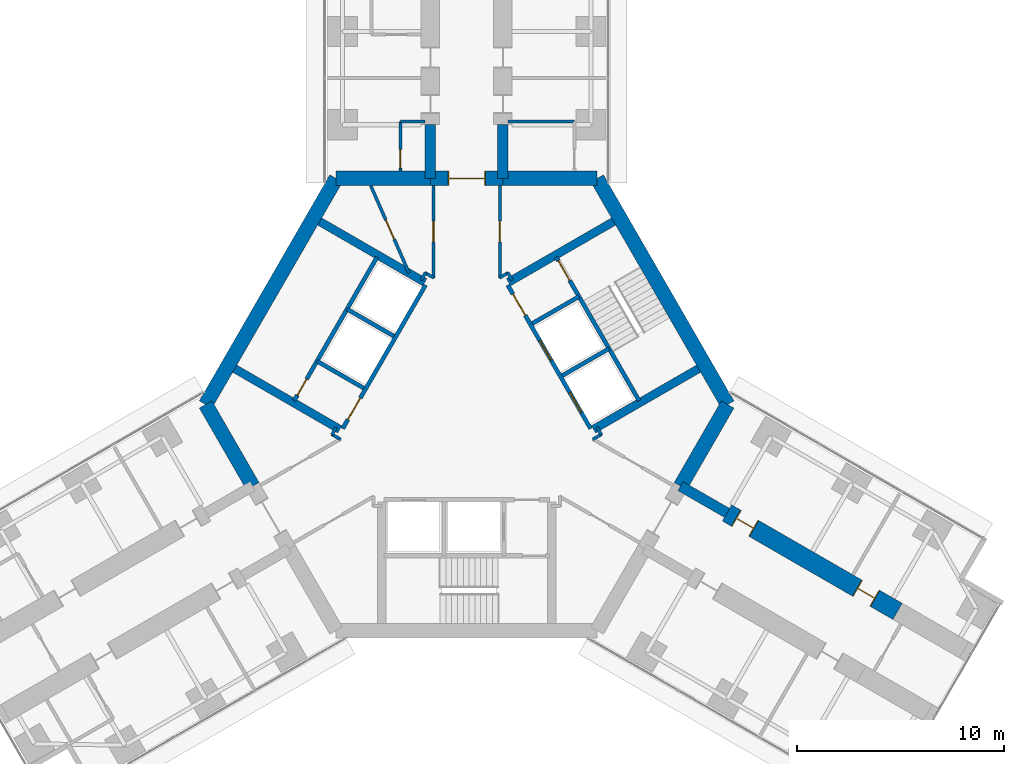
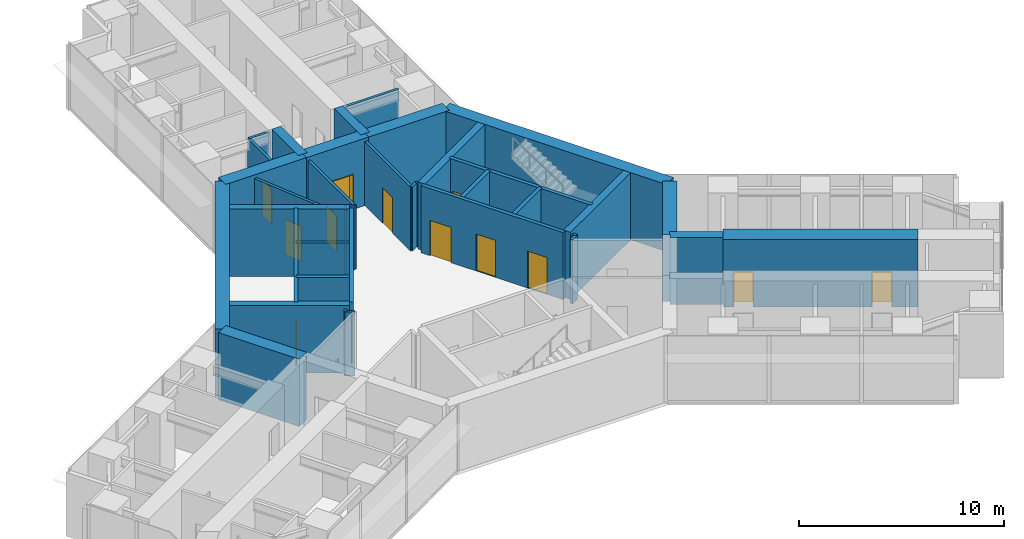
# One storey, part 21 of 24: 37 walls, 13 doors, 13 openings.
"""IFC4 building model written with IfcOpenShell, lengths in metres."""

from ifc_helpers import new_model, si_unit, direction, frame, frame_2d, origin, place, context, subcontext, project, spatial, rectangle, extrude, material, layer, layer_set, type_object, element, fill, save


model = new_model("IFC4")

# Units and contexts
model_context = context("Model", 3, precision=1e-05, world=origin(), true_north=direction((0.0, 1.0)))
body_context = subcontext(model_context, "Body", "Model", "MODEL_VIEW")
ifc_project = project(units=[si_unit("LENGTHUNIT", "METRE"), si_unit("AREAUNIT", "SQUARE_METRE"), si_unit("VOLUMEUNIT", "CUBIC_METRE"), si_unit("PLANEANGLEUNIT", "RADIAN"), si_unit("MASSUNIT", "GRAM", prefix="KILO")], contexts=[model_context])

# Site, building, storey
site_placement = place(None, origin())
site = spatial("IfcSite", under=ifc_project, at=site_placement, CompositionType="ELEMENT")
building_placement = place(site_placement, origin())
building = spatial("IfcBuilding", under=site, at=building_placement, Name="Upepo Twin Towers", CompositionType="ELEMENT")
storey_placement = place(building_placement, frame((0.0, 0.0, 48.5)))
storey = spatial("IfcBuildingStorey", under=building, at=storey_placement, Name="L11", CompositionType="ELEMENT", Elevation=48.5)

# Walls
ifc_material_1 = material(Name="Concrete C60/75", Category="concrete")
ifc_layer_1 = layer(ifc_material_1, 0.5)
ifc_layer_set_1 = layer_set([ifc_layer_1], Name="Concrete C60/75")
wall_type_1 = type_object("IfcWallType", Name="Buttress wall 500 RC", PredefinedType="SHEAR", material=ifc_layer_set_1)
for number, where, z_axis, x_axis, name in (
    (1, (56.75, -7.091552734375, 0.0), (0.0, 0.0, 1.0), (0.0, 1.0, 0.0), "T2 wing A buttress wall L"),
    (2, (60.25, -7.091552734375, 0.0), (0.0, 0.0, 1.0), (0.0, 1.0, 0.0), "T2 wing A buttress wall R"),
):
    element("IfcWall", number, at=place(storey_placement, frame(where, z_axis=z_axis, x_axis=x_axis)), inside=storey, type_object=wall_type_1, Name=name, PredefinedType="SHEAR", context=body_context, shape_type="SweptSolid", body=[
        extrude(rectangle(XDim=2.591552734375, YDim=0.5, at=frame_2d((1.2958984375, 0.0))), origin(), (0.0, 0.0, 1.0), 4.0),
    ])
wall_1_placement = place(storey_placement, frame((68.82177734375, -21.938720703125, 0.0), z_axis=(0.0, 0.0, 1.0), x_axis=(0.866072649678, -0.499918158782, 0.0)))
element("IfcWall", 3, at=wall_1_placement, inside=storey, type_object=wall_type_1, Name="T2 wing C buttress wall L", PredefinedType="SHEAR", context=body_context, shape_type="SweptSolid", body=[
    extrude(rectangle(XDim=2.591796875, YDim=0.5, at=frame_2d((1.2958984375, 0.0))), origin(), (0.0, 0.0, 1.0), 4.0),
])

# Wall, openings, doors
ifc_material_2 = material(Name="Concrete C60/75", Category="concrete")
ifc_layer_2 = layer(ifc_material_2, 0.89990234375)
ifc_layer_set_2 = layer_set([ifc_layer_2], Name="Concrete C60/75")
wall_type_2 = type_object("IfcWallType", Name="Buttress wall 900 RC", PredefinedType="SHEAR", material=ifc_layer_set_2)
wall_2_placement = place(storey_placement, frame((71.06640625, -23.234375, 0.0), z_axis=(0.0, 0.0, 1.0), x_axis=(0.86602681393, -0.499997557548, 0.0)))
wall_2 = element("IfcWall", 4, at=wall_2_placement, inside=storey, type_object=wall_type_2, Name="T2 wing C buttress wall L part 2", PredefinedType="SHEAR", context=body_context, shape_type="SweptSolid", body=[
    extrude(rectangle(XDim=9.5, YDim=0.89990234375, at=frame_2d((4.75, 0.0))), origin(), (0.0, 0.0, 1.0), 4.0),
])
opening_1_placement = place(wall_2_placement, frame((0.5, 0.0, 0.0)))
opening_1 = element("IfcOpeningElement", 5, at=opening_1_placement, cuts=wall_2, Name="Opening D1", PredefinedType="OPENING", context=body_context, shape_type="SweptSolid", body=[
    extrude(rectangle(XDim=1.0, YDim=2.10009765625, at=frame_2d((0.5, 1.050048828125))), frame((0.0, 0.4599609375, 0.0), z_axis=(0.0, -1.0, 0.0), x_axis=(1.0, 0.0, 0.0)), (0.0, 0.0, 1.0), 0.919921875),
])
opening_2_placement = place(wall_2_placement, frame((7.25, 0.0, 0.0)))
opening_2 = element("IfcOpeningElement", 6, at=opening_2_placement, cuts=wall_2, Name="Opening D1", PredefinedType="OPENING", context=body_context, shape_type="SweptSolid", body=[
    extrude(rectangle(XDim=1.0, YDim=2.10009765625, at=frame_2d((0.5, 1.050048828125))), frame((0.0, 0.4599609375, 0.0), z_axis=(0.0, -1.0, 0.0), x_axis=(1.0, 0.0, 0.0)), (0.0, 0.0, 1.0), 0.919921875),
])
ifc_material_3 = material(Name="Timber doorset", Category="wood")
door_type_1 = type_object("IfcDoorType", Name="Room door 1000 FD30", OperationType="SINGLE_SWING_LEFT", PredefinedType="DOOR", material=ifc_material_3)
door_1_placement = place(opening_1_placement, origin())
door_1 = element("IfcDoor", 7, at=door_1_placement, inside=storey, type_object=door_type_1, Name="T2 L11 classroom door", OperationType="SINGLE_SWING_LEFT", OverallHeight=2.10009765625, OverallWidth=1.0, PredefinedType="DOOR", context=body_context, shape_type="SweptSolid", body=[
    extrude(rectangle(XDim=0.92, YDim=2.06009765625, at=frame_2d((0.5, 1.030029296875))), frame((0.0, 0.02490234375, 0.0), z_axis=(0.0, -1.0, 0.0), x_axis=(1.0, 0.0, 0.0)), (0.0, 0.0, 1.0), 0.050048828125),
    extrude(rectangle(XDim=0.04, YDim=2.10009765625, at=frame_2d((0.02001953125, 1.050048828125))), frame((0.0, 0.44970703125, 0.0), z_axis=(0.0, -1.0, 0.0), x_axis=(1.0, 0.0, 0.0)), (0.0, 0.0, 1.0), 0.8994140625),
    extrude(rectangle(XDim=0.04, YDim=2.10009765625, at=frame_2d((0.97998046875, 1.050048828125))), frame((0.0, 0.44970703125, 0.0), z_axis=(0.0, -1.0, 0.0), x_axis=(1.0, 0.0, 0.0)), (0.0, 0.0, 1.0), 0.8994140625),
    extrude(rectangle(XDim=0.92, YDim=0.04, at=frame_2d((0.5, 2.080078125))), frame((0.0, 0.44970703125, 0.0), z_axis=(0.0, -1.0, 0.0), x_axis=(1.0, 0.0, 0.0)), (0.0, 0.0, 1.0), 0.8994140625),
])
fill(opening_1, door_1)
door_2_placement = place(opening_2_placement, origin())
door_2 = element("IfcDoor", 8, at=door_2_placement, inside=storey, type_object=door_type_1, Name="T2 L11 seminar room door", OperationType="SINGLE_SWING_RIGHT", OverallHeight=2.10009765625, OverallWidth=1.0, PredefinedType="DOOR", context=body_context, shape_type="SweptSolid", body=[
    extrude(rectangle(XDim=0.92, YDim=2.06009765625, at=frame_2d((0.5, 1.030029296875))), frame((0.0, 0.02490234375, 0.0), z_axis=(0.0, -1.0, 0.0), x_axis=(1.0, 0.0, 0.0)), (0.0, 0.0, 1.0), 0.050048828125),
    extrude(rectangle(XDim=0.04, YDim=2.10009765625, at=frame_2d((0.02001953125, 1.050048828125))), frame((0.0, 0.44970703125, 0.0), z_axis=(0.0, -1.0, 0.0), x_axis=(1.0, 0.0, 0.0)), (0.0, 0.0, 1.0), 0.8994140625),
    extrude(rectangle(XDim=0.04, YDim=2.10009765625, at=frame_2d((0.97998046875, 1.050048828125))), frame((0.0, 0.44970703125, 0.0), z_axis=(0.0, -1.0, 0.0), x_axis=(1.0, 0.0, 0.0)), (0.0, 0.0, 1.0), 0.8994140625),
    extrude(rectangle(XDim=0.92, YDim=0.04, at=frame_2d((0.5, 2.080078125))), frame((0.0, 0.44970703125, 0.0), z_axis=(0.0, -1.0, 0.0), x_axis=(1.0, 0.0, 0.0)), (0.0, 0.0, 1.0), 0.8994140625),
])
fill(opening_2, door_2)

# Wall
ifc_material_4 = material(Name="Concrete C60/75", Category="concrete")
ifc_layer_3 = layer(ifc_material_4, 0.699951171875)
ifc_layer_set_3 = layer_set([ifc_layer_3], Name="Concrete C60/75")
wall_type_3 = type_object("IfcWallType", Name="Core wall 700 RC", PredefinedType="SHEAR", material=ifc_layer_set_3)
wall_3_placement = place(storey_placement, frame((64.7978515625, -7.091552734375, 0.0), z_axis=(0.0, 0.0, 1.0), x_axis=(-1.0, 0.0, 0.0)))
element("IfcWall", 9, at=wall_3_placement, inside=storey, type_object=wall_type_3, Name="T2 core wall 000 R", PredefinedType="SHEAR", context=body_context, shape_type="SweptSolid", body=[
    extrude(rectangle(XDim=4.5478515625, YDim=0.699951171875, at=frame_2d((2.27392578125, 0.0))), origin(), (0.0, 0.0, 1.0), 4.0),
])

# Wall, opening, door
wall_4_placement = place(storey_placement, frame((60.25, -7.091552734375, 0.0), z_axis=(0.0, 0.0, 1.0), x_axis=(-1.0, 0.0, 0.0)))
wall_4 = element("IfcWall", 10, at=wall_4_placement, inside=storey, type_object=wall_type_3, Name="T2 core wall 000", PredefinedType="SHEAR", context=body_context, shape_type="SweptSolid", body=[
    extrude(rectangle(XDim=3.5, YDim=0.699951171875, at=frame_2d((1.75, 0.0))), origin(), (0.0, 0.0, 1.0), 4.0),
])
opening_3_placement = place(wall_4_placement, frame((0.85009765625, 0.0, 0.0)))
opening_3 = element("IfcOpeningElement", 11, at=opening_3_placement, cuts=wall_4, Name="Opening D2", PredefinedType="OPENING", context=body_context, shape_type="SweptSolid", body=[
    extrude(rectangle(XDim=1.800048828125, YDim=2.10009765625, at=frame_2d((0.89990234375, 1.050048828125))), frame((0.0, 0.35986328125, 0.0), z_axis=(0.0, -1.0, 0.0), x_axis=(1.0, 0.0, 0.0)), (0.0, 0.0, 1.0), 0.719970703125),
])
ifc_material_5 = material(Name="Timber doorset", Category="wood")
door_type_2 = type_object("IfcDoorType", Name="Corridor double door 1800 FD60", OperationType="DOUBLE_DOOR_DOUBLE_SWING", PredefinedType="DOOR", material=ifc_material_5)
door_3_placement = place(opening_3_placement, origin())
door_3 = element("IfcDoor", 12, at=door_3_placement, inside=storey, type_object=door_type_2, Name="T2 L11 wing A corridor door", OperationType="DOUBLE_DOOR_DOUBLE_SWING", OverallHeight=2.10009765625, OverallWidth=1.800048828125, PredefinedType="DOOR", context=body_context, shape_type="SweptSolid", body=[
    extrude(rectangle(XDim=1.720048828125, YDim=2.06009765625, at=frame_2d((0.89990234375, 1.030029296875))), frame((0.0, 0.02490234375, 0.0), z_axis=(0.0, -1.0, 0.0), x_axis=(1.0, 0.0, 0.0)), (0.0, 0.0, 1.0), 0.050048828125),
    extrude(rectangle(XDim=0.04, YDim=2.10009765625, at=frame_2d((0.02001953125, 1.050048828125))), frame((0.0, 0.349609375, 0.0), z_axis=(0.0, -1.0, 0.0), x_axis=(1.0, 0.0, 0.0)), (0.0, 0.0, 1.0), 0.699462890625),
    extrude(rectangle(XDim=0.04, YDim=2.10009765625, at=frame_2d((1.780029296875, 1.050048828125))), frame((0.0, 0.349609375, 0.0), z_axis=(0.0, -1.0, 0.0), x_axis=(1.0, 0.0, 0.0)), (0.0, 0.0, 1.0), 0.699462890625),
    extrude(rectangle(XDim=1.720048828125, YDim=0.04, at=frame_2d((0.89990234375, 2.080078125))), frame((0.0, 0.349609375, 0.0), z_axis=(0.0, -1.0, 0.0), x_axis=(1.0, 0.0, 0.0)), (0.0, 0.0, 1.0), 0.699462890625),
])
fill(opening_3, door_3)

# Walls
wall_5_placement = place(storey_placement, frame((56.75, -7.091552734375, 0.0), z_axis=(0.0, 0.0, 1.0), x_axis=(-1.0, 0.0, 0.0)))
element("IfcWall", 13, at=wall_5_placement, inside=storey, type_object=wall_type_3, Name="T2 core wall 000 L", PredefinedType="SHEAR", context=body_context, shape_type="SweptSolid", body=[
    extrude(rectangle(XDim=4.5478515625, YDim=0.699951171875, at=frame_2d((2.27392578125, 0.0))), origin(), (0.0, 0.0, 1.0), 4.0),
])
wall_6_placement = place(storey_placement, frame((52.2021484375, -7.091552734375, 0.0), z_axis=(0.0, 0.0, 1.0), x_axis=(-0.500005998175, -0.866021940709, 0.0)))
element("IfcWall", 14, at=wall_6_placement, inside=storey, type_object=wall_type_3, Name="T2 core wall 060", PredefinedType="SHEAR", context=body_context, shape_type="SweptSolid", body=[
    extrude(rectangle(XDim=12.595947265625, YDim=0.699951171875, at=frame_2d((6.2978515625, 0.0))), origin(), (0.0, 0.0, 1.0), 4.0),
])
for number, where, z_axis, x_axis, name in (
    (15, (45.904052734375, -18.0, 0.0), (0.0, 0.0, 1.0), (0.500024481964, -0.866011268655, 0.0), "T2 core wall 120 R"),
    (16, (68.82177734375, -21.938720703125, 0.0), (0.0, 0.0, 1.0), (0.500024481964, 0.866011268655, 0.0), "T2 core wall 240 L"),
):
    element("IfcWall", number, at=place(storey_placement, frame(where, z_axis=z_axis, x_axis=x_axis)), inside=storey, type_object=wall_type_3, Name=name, PredefinedType="SHEAR", context=body_context, shape_type="SweptSolid", body=[
        extrude(rectangle(XDim=4.548095703125, YDim=0.699951171875, at=frame_2d((2.27392578125, 0.0))), origin(), (0.0, 0.0, 1.0), 4.0),
    ])
wall_7_placement = place(storey_placement, frame((71.095947265625, -18.0, 0.0), z_axis=(0.0, 0.0, 1.0), x_axis=(-0.500005998175, 0.866021940709, 0.0)))
element("IfcWall", 17, at=wall_7_placement, inside=storey, type_object=wall_type_3, Name="T2 core wall 300", PredefinedType="SHEAR", context=body_context, shape_type="SweptSolid", body=[
    extrude(rectangle(XDim=12.595947265625, YDim=0.699951171875, at=frame_2d((6.2978515625, 0.0))), origin(), (0.0, 0.0, 1.0), 4.0),
])

# Wall, opening, door
ifc_material_6 = material(Name="Concrete C40/50", Category="concrete")
ifc_layer_4 = layer(ifc_material_6, 0.199951171875)
ifc_layer_set_4 = layer_set([ifc_layer_4], Name="Concrete C40/50")
wall_type_4 = type_object("IfcWallType", Name="Shaft wall 200 RC", PredefinedType="SHEAR", material=ifc_layer_set_4)
wall_8_placement = place(storey_placement, frame((56.516357421875, -12.23583984375, 0.0), z_axis=(0.0, 0.0, 1.0), x_axis=(-0.49999894854, -0.866026010844, 0.0)))
wall_8 = element("IfcWall", 18, at=wall_8_placement, inside=storey, type_object=wall_type_4, Name="T2 core W60 front wall", PredefinedType="SHEAR", context=body_context, shape_type="SweptSolid", body=[
    extrude(rectangle(XDim=8.0, YDim=0.199951171875, at=frame_2d((4.0, 0.0))), origin(), (0.0, 0.0, 1.0), 4.0),
])
opening_4_placement = place(wall_8_placement, frame((6.300048828125, 0.0, 0.0)))
opening_4 = element("IfcOpeningElement", 19, at=opening_4_placement, cuts=wall_8, Name="Opening D4", PredefinedType="OPENING", context=body_context, shape_type="SweptSolid", body=[
    extrude(rectangle(XDim=1.199951171875, YDim=2.10009765625, at=frame_2d((0.60009765625, 1.050048828125))), frame((0.0, 0.10986328125, 0.0), z_axis=(0.0, -1.0, 0.0), x_axis=(1.0, 0.0, 0.0)), (0.0, 0.0, 1.0), 0.219970703125),
])
ifc_material_7 = material(Name="Timber doorset", Category="wood")
door_type_3 = type_object("IfcDoorType", Name="Lobby door 1200 FD60", OperationType="SINGLE_SWING_LEFT", PredefinedType="DOOR", material=ifc_material_7)
door_4_placement = place(opening_4_placement, origin())
door_4 = element("IfcDoor", 20, at=door_4_placement, inside=storey, type_object=door_type_3, Name="T2 L11 W60 lobby door", OperationType="SINGLE_SWING_RIGHT", OverallHeight=2.10009765625, OverallWidth=1.199951171875, PredefinedType="DOOR", context=body_context, shape_type="SweptSolid", body=[
    extrude(rectangle(XDim=1.199951171875, YDim=2.10009765625, at=frame_2d((0.60009765625, 1.050048828125))), frame((0.0, 0.02490234375, 0.0), z_axis=(0.0, -1.0, 0.0), x_axis=(1.0, 0.0, 0.0)), (0.0, 0.0, 1.0), 0.050048828125),
])
fill(opening_4, door_4)

# Walls
for number, where, z_axis, x_axis, name in (
    (21, (54.979736328125, -14.697265625, 0.0), (0.0, 0.0, 1.0), (-0.866062058628, 0.499936506574, 0.0), "T2 core W60 shaft divider"),
    (22, (53.52978515625, -17.208740234375, 0.0), (0.0, 0.0, 1.0), (-0.866062058628, 0.499936506574, 0.0), "T2 core W60 lobby wall"),
):
    element("IfcWall", number, at=place(storey_placement, frame(where, z_axis=z_axis, x_axis=x_axis)), inside=storey, type_object=wall_type_4, Name=name, PredefinedType="SHEAR", context=body_context, shape_type="SweptSolid", body=[
        extrude(rectangle(XDim=2.599853515625, YDim=0.199951171875, at=frame_2d((1.2998046875, 0.0))), origin(), (0.0, 0.0, 1.0), 4.0),
    ])

# Wall, opening, door
wall_9_placement = place(storey_placement, frame((54.177978515625, -10.885986328125, 0.0), z_axis=(0.0, 0.0, 1.0), x_axis=(-0.49999894854, -0.866026010844, 0.0)))
wall_9 = element("IfcWall", 23, at=wall_9_placement, inside=storey, type_object=wall_type_4, Name="T2 core W60 stair wall", PredefinedType="SHEAR", context=body_context, shape_type="SweptSolid", body=[
    extrude(rectangle(XDim=8.0, YDim=0.199951171875, at=frame_2d((4.0, 0.0))), origin(), (0.0, 0.0, 1.0), 4.0),
])
opening_5_placement = place(wall_9_placement, frame((6.800048828125, 0.0, 0.0)))
opening_5 = element("IfcOpeningElement", 24, at=opening_5_placement, cuts=wall_9, Name="Opening D9", PredefinedType="OPENING", context=body_context, shape_type="SweptSolid", body=[
    extrude(rectangle(XDim=0.89990234375, YDim=2.10009765625, at=frame_2d((0.449951171875, 1.050048828125))), frame((0.0, 0.10986328125, 0.0), z_axis=(0.0, -1.0, 0.0), x_axis=(1.0, 0.0, 0.0)), (0.0, 0.0, 1.0), 0.219970703125),
])
ifc_material_8 = material(Name="Timber doorset", Category="wood")
door_type_4 = type_object("IfcDoorType", Name="Riser door 900 FD60", OperationType="SINGLE_SWING_LEFT", PredefinedType="DOOR", material=ifc_material_8)
door_5_placement = place(opening_5_placement, origin())
door_5 = element("IfcDoor", 25, at=door_5_placement, inside=storey, type_object=door_type_4, Name="T2 L11 riser door", OperationType="SINGLE_SWING_RIGHT", OverallHeight=2.10009765625, OverallWidth=0.89990234375, PredefinedType="DOOR", context=body_context, shape_type="SweptSolid", body=[
    extrude(rectangle(XDim=0.89990234375, YDim=2.10009765625, at=frame_2d((0.449951171875, 1.050048828125))), frame((0.0, 0.02490234375, 0.0), z_axis=(0.0, -1.0, 0.0), x_axis=(1.0, 0.0, 0.0)), (0.0, 0.0, 1.0), 0.050048828125),
])
fill(opening_5, door_5)

# Wall, openings, doors
wall_10_placement = place(storey_placement, frame((64.483642578125, -19.1640625, 0.0), z_axis=(0.0, 0.0, 1.0), x_axis=(-0.49999894854, 0.866026010844, 0.0)))
wall_10 = element("IfcWall", 26, at=wall_10_placement, inside=storey, type_object=wall_type_4, Name="T2 core W300 front wall", PredefinedType="SHEAR", context=body_context, shape_type="SweptSolid", body=[
    extrude(rectangle(XDim=8.0, YDim=0.199951171875, at=frame_2d((4.0, 0.0))), origin(), (0.0, 0.0, 1.0), 4.0),
])
opening_6_placement = place(wall_10_placement, frame((6.300048828125, 0.0, 0.0)))
opening_6 = element("IfcOpeningElement", 27, at=opening_6_placement, cuts=wall_10, Name="Opening D4", PredefinedType="OPENING", context=body_context, shape_type="SweptSolid", body=[
    extrude(rectangle(XDim=1.199951171875, YDim=2.10009765625, at=frame_2d((0.60009765625, 1.050048828125))), frame((0.0, 0.10986328125, 0.0), z_axis=(0.0, -1.0, 0.0), x_axis=(1.0, 0.0, 0.0)), (0.0, 0.0, 1.0), 0.219970703125),
])
opening_7_placement = place(wall_10_placement, frame((0.89990234375, 0.0, 0.0)))
opening_7 = element("IfcOpeningElement", 28, at=opening_7_placement, cuts=wall_10, Name="Opening LD1", PredefinedType="OPENING", context=body_context, shape_type="SweptSolid", body=[
    extrude(rectangle(XDim=1.10009765625, YDim=2.199951171875, at=frame_2d((0.550048828125, 1.10009765625))), frame((0.0, 0.10986328125, 0.0), z_axis=(0.0, -1.0, 0.0), x_axis=(1.0, 0.0, 0.0)), (0.0, 0.0, 1.0), 0.219970703125),
])
opening_8_placement = place(wall_10_placement, frame((3.800048828125, 0.0, 0.0)))
opening_8 = element("IfcOpeningElement", 29, at=opening_8_placement, cuts=wall_10, Name="Opening LD1", PredefinedType="OPENING", context=body_context, shape_type="SweptSolid", body=[
    extrude(rectangle(XDim=1.10009765625, YDim=2.199951171875, at=frame_2d((0.550048828125, 1.10009765625))), frame((0.0, 0.10986328125, 0.0), z_axis=(0.0, -1.0, 0.0), x_axis=(1.0, 0.0, 0.0)), (0.0, 0.0, 1.0), 0.219970703125),
])
ifc_material_9 = material(Name="Steel doorset", Category="steel")
door_type_5 = type_object("IfcDoorType", Name="Lift landing door 1100", OperationType="DOUBLE_DOOR_SLIDING", PredefinedType="DOOR", material=ifc_material_9)
door_6_placement = place(opening_7_placement, origin())
door_6 = element("IfcDoor", 30, at=door_6_placement, inside=storey, type_object=door_type_5, Name="T2 L11 lift LL1 landing door", OperationType="DOUBLE_DOOR_SLIDING", OverallHeight=2.199951171875, OverallWidth=1.10009765625, PredefinedType="DOOR", context=body_context, shape_type="SweptSolid", body=[
    extrude(rectangle(XDim=1.10009765625, YDim=2.199951171875, at=frame_2d((0.550048828125, 1.10009765625))), frame((0.0, 0.02490234375, 0.0), z_axis=(0.0, -1.0, 0.0), x_axis=(1.0, 0.0, 0.0)), (0.0, 0.0, 1.0), 0.050048828125),
])
fill(opening_7, door_6)
door_7_placement = place(opening_8_placement, origin())
door_7 = element("IfcDoor", 31, at=door_7_placement, inside=storey, type_object=door_type_5, Name="T2 L11 lift LL2 landing door", OperationType="DOUBLE_DOOR_SLIDING", OverallHeight=2.199951171875, OverallWidth=1.10009765625, PredefinedType="DOOR", context=body_context, shape_type="SweptSolid", body=[
    extrude(rectangle(XDim=1.10009765625, YDim=2.199951171875, at=frame_2d((0.550048828125, 1.10009765625))), frame((0.0, 0.02490234375, 0.0), z_axis=(0.0, -1.0, 0.0), x_axis=(1.0, 0.0, 0.0)), (0.0, 0.0, 1.0), 0.050048828125),
])
fill(opening_8, door_7)
door_8_placement = place(opening_6_placement, origin())
door_8 = element("IfcDoor", 32, at=door_8_placement, inside=storey, type_object=door_type_3, Name="T2 L11 W300 lobby door", OperationType="SINGLE_SWING_RIGHT", OverallHeight=2.10009765625, OverallWidth=1.199951171875, PredefinedType="DOOR", context=body_context, shape_type="SweptSolid", body=[
    extrude(rectangle(XDim=1.199951171875, YDim=2.10009765625, at=frame_2d((0.60009765625, 1.050048828125))), frame((0.0, 0.02490234375, 0.0), z_axis=(0.0, -1.0, 0.0), x_axis=(1.0, 0.0, 0.0)), (0.0, 0.0, 1.0), 0.050048828125),
])
fill(opening_6, door_8)

# Walls
wall_11_placement = place(storey_placement, frame((63.120361328125, -16.6025390625, 0.0), z_axis=(0.0, 0.0, 1.0), x_axis=(0.866062058628, 0.499936506574, 0.0)))
element("IfcWall", 33, at=wall_11_placement, inside=storey, type_object=wall_type_4, Name="T2 core W300 shaft divider", PredefinedType="SHEAR", context=body_context, shape_type="SweptSolid", body=[
    extrude(rectangle(XDim=2.599853515625, YDim=0.199951171875, at=frame_2d((1.2998046875, 0.0))), origin(), (0.0, 0.0, 1.0), 4.0),
])
wall_12_placement = place(storey_placement, frame((61.67041015625, -14.091064453125, 0.0), z_axis=(0.0, 0.0, 1.0), x_axis=(0.86603858612, 0.49997716683, 0.0)))
element("IfcWall", 34, at=wall_12_placement, inside=storey, type_object=wall_type_4, Name="T2 core W300 lobby wall", PredefinedType="SHEAR", context=body_context, shape_type="SweptSolid", body=[
    extrude(rectangle(XDim=2.599609375, YDim=0.199951171875, at=frame_2d((1.2998046875, 0.0))), origin(), (0.0, 0.0, 1.0), 4.0),
])

# Wall, opening, door
wall_13_placement = place(storey_placement, frame((66.822021484375, -17.814208984375, 0.0), z_axis=(0.0, 0.0, 1.0), x_axis=(-0.49999894854, 0.866026010844, 0.0)))
wall_13 = element("IfcWall", 35, at=wall_13_placement, inside=storey, type_object=wall_type_4, Name="T2 core W300 stair wall", PredefinedType="SHEAR", context=body_context, shape_type="SweptSolid", body=[
    extrude(rectangle(XDim=8.0, YDim=0.199951171875, at=frame_2d((4.0, 0.0))), origin(), (0.0, 0.0, 1.0), 4.0),
])
opening_9_placement = place(wall_13_placement, frame((6.699951171875, 0.0, 0.0)))
opening_9 = element("IfcOpeningElement", 36, at=opening_9_placement, cuts=wall_13, Name="Opening D3", PredefinedType="OPENING", context=body_context, shape_type="SweptSolid", body=[
    extrude(rectangle(XDim=1.10009765625, YDim=2.10009765625, at=frame_2d((0.550048828125, 1.050048828125))), frame((0.0, 0.10986328125, 0.0), z_axis=(0.0, -1.0, 0.0), x_axis=(1.0, 0.0, 0.0)), (0.0, 0.0, 1.0), 0.219970703125),
])
ifc_material_10 = material(Name="Timber doorset", Category="wood")
door_type_6 = type_object("IfcDoorType", Name="Stair door 1100 FD60", OperationType="SINGLE_SWING_LEFT", PredefinedType="DOOR", material=ifc_material_10)
door_9_placement = place(opening_9_placement, origin())
door_9 = element("IfcDoor", 37, at=door_9_placement, inside=storey, type_object=door_type_6, Name="T2 L11 stair door", OperationType="SINGLE_SWING_RIGHT", OverallHeight=2.10009765625, OverallWidth=1.10009765625, PredefinedType="DOOR", context=body_context, shape_type="SweptSolid", body=[
    extrude(rectangle(XDim=1.10009765625, YDim=2.10009765625, at=frame_2d((0.550048828125, 1.050048828125))), frame((0.0, 0.02490234375, 0.0), z_axis=(0.0, -1.0, 0.0), x_axis=(1.0, 0.0, 0.0)), (0.0, 0.0, 1.0), 0.050048828125),
])
fill(opening_9, door_9)

# Walls
ifc_material_11 = material(Name="Concrete C40/50", Category="concrete")
ifc_layer_5 = layer(ifc_material_11, 0.39990234375)
ifc_layer_set_5 = layer_set([ifc_layer_5], Name="Concrete C40/50")
wall_type_5 = type_object("IfcWallType", Name="Shaft wall 400 RC", PredefinedType="SHEAR", material=ifc_layer_set_5)
for number, where, z_axis, x_axis, name in (
    (38, (52.379638671875, -19.20068359375, 0.0), (0.0, 0.0, 1.0), (-0.866023886965, 0.500002627198, 0.0), "T2 core W60 side wall N"),
    (39, (56.479736328125, -12.099365234375, 0.0), (0.0, 0.0, 1.0), (-0.866023886965, 0.500002627198, 0.0), "T2 core W60 side wall S"),
    (40, (60.520263671875, -12.099365234375, 0.0), (0.0, 0.0, 1.0), (0.866023886965, 0.500002627198, 0.0), "T2 core W300 side wall N"),
    (41, (64.620361328125, -19.20068359375, 0.0), (0.0, 0.0, 1.0), (0.866023886965, 0.500002627198, 0.0), "T2 core W300 side wall S"),
):
    element("IfcWall", number, at=place(storey_placement, frame(where, z_axis=z_axis, x_axis=x_axis)), inside=storey, type_object=wall_type_5, Name=name, PredefinedType="SHEAR", context=body_context, shape_type="SweptSolid", body=[
        extrude(rectangle(XDim=5.8583984375, YDim=0.39990234375, at=frame_2d((2.92919921875, 0.0))), origin(), (0.0, 0.0, 1.0), 4.0),
    ])

# Wall, opening, door
ifc_material_12 = material(Name="Gypsum board on steel studs", Category="steel")
ifc_layer_6 = layer(ifc_material_12, 0.14990234375)
ifc_layer_set_6 = layer_set([ifc_layer_6], Name="Teaching partition 150 acoustic")
wall_type_6 = type_object("IfcWallType", Name="Teaching partition 150 acoustic", PredefinedType="PARTITIONING", material=ifc_layer_set_6)
wall_14_placement = place(storey_placement, frame((55.300048828125, -6.741943359375, 0.0), z_axis=(0.0, 0.0, 1.0), x_axis=(0.0, 1.0, 0.0)))
wall_14 = element("IfcWall", 42, at=wall_14_placement, inside=storey, type_object=wall_type_6, Name="T2 WC bay partition AL at 11.26", PredefinedType="PARTITIONING", context=body_context, shape_type="SweptSolid", body=[
    extrude(rectangle(XDim=2.39990234375, YDim=0.14990234375, at=frame_2d((1.199951171875, 0.0))), origin(), (0.0, 0.0, 1.0), 3.800048828125),
])
opening_10_placement = place(wall_14_placement, frame((0.14990234375, 0.0, 0.0)))
opening_10 = element("IfcOpeningElement", 43, at=opening_10_placement, cuts=wall_14, Name="Opening D14", PredefinedType="OPENING", context=body_context, shape_type="SweptSolid", body=[
    extrude(rectangle(XDim=0.89990234375, YDim=2.10009765625, at=frame_2d((0.449951171875, 1.050048828125))), frame((0.0, 0.0849609375, 0.0), z_axis=(0.0, -1.0, 0.0), x_axis=(1.0, 0.0, 0.0)), (0.0, 0.0, 1.0), 0.169921875),
])
ifc_material_13 = material(Name="Timber doorset", Category="wood")
door_type_7 = type_object("IfcDoorType", Name="Office door 900 FD30", OperationType="SINGLE_SWING_LEFT", PredefinedType="DOOR", material=ifc_material_13)
door_10_placement = place(opening_10_placement, origin())
door_10 = element("IfcDoor", 44, at=door_10_placement, inside=storey, type_object=door_type_7, Name="T2 L11 WC bay inner room door", OperationType="SINGLE_SWING_LEFT", OverallHeight=2.10009765625, OverallWidth=0.89990234375, PredefinedType="DOOR", context=body_context, shape_type="SweptSolid", body=[
    extrude(rectangle(XDim=0.89990234375, YDim=2.10009765625, at=frame_2d((0.449951171875, 1.050048828125))), frame((0.0, 0.02490234375, 0.0), z_axis=(0.0, -1.0, 0.0), x_axis=(1.0, 0.0, 0.0)), (0.0, 0.0, 1.0), 0.050048828125),
])
fill(opening_10, door_10)

# Walls
wall_15_placement = place(storey_placement, frame((56.5, -4.342041015625, 0.0), z_axis=(0.0, 0.0, 1.0), x_axis=(-1.0, 0.0, 0.0)))
element("IfcWall", 45, at=wall_15_placement, inside=storey, type_object=wall_type_6, Name="T2 WC bay partition AL end at 13.66", PredefinedType="PARTITIONING", context=body_context, shape_type="SweptSolid", body=[
    extrude(rectangle(XDim=1.199951171875, YDim=0.14990234375, at=frame_2d((0.60009765625, 0.0))), origin(), (0.0, 0.0, 1.0), 3.800048828125),
])
wall_16_placement = place(storey_placement, frame((60.5, -4.342041015625, 0.0), z_axis=(0.0, 0.0, 1.0), x_axis=(1.0, 0.0, 0.0)))
element("IfcWall", 46, at=wall_16_placement, inside=storey, type_object=wall_type_6, Name="T2 WC bay partition AR end at 13.66", PredefinedType="PARTITIONING", context=body_context, shape_type="SweptSolid", body=[
    extrude(rectangle(XDim=3.199951171875, YDim=0.14990234375, at=frame_2d((1.60009765625, 0.0))), origin(), (0.0, 0.0, 1.0), 3.800048828125),
])
wall_17_placement = place(storey_placement, frame((52.417236328125, -19.684326171875, 0.0), z_axis=(0.0, 0.0, 1.0), x_axis=(-0.865831790172, 0.50033519877, 0.0)))
element("IfcWall", 47, at=wall_17_placement, inside=storey, type_object=wall_type_6, Name="T2 core room partition 4", PredefinedType="PARTITIONING", context=body_context, shape_type="SweptSolid", body=[
    extrude(rectangle(XDim=0.494384765625, YDim=0.14990234375, at=frame_2d((0.2470703125, 0.0))), origin(), (0.0, 0.0, 1.0), 3.800048828125),
])
for number, where, z_axis, x_axis, name in (
    (48, (51.99658203125, -19.46435546875, 0.0), (0.0, 0.0, 1.0), (0.499804398801, 0.866138304741, 0.0), "T2 core room partition 5"),
    (49, (56.301513671875, -12.0078125, 0.0), (0.0, 0.0, 1.0), (0.500230298122, 0.865892400268, 0.0), "T2 core room partition 6"),
):
    element("IfcWall", number, at=place(storey_placement, frame(where, z_axis=z_axis, x_axis=x_axis)), inside=storey, type_object=wall_type_6, Name=name, PredefinedType="PARTITIONING", context=body_context, shape_type="SweptSolid", body=[
        extrude(rectangle(XDim=0.429931640625, YDim=0.14990234375, at=frame_2d((0.21484375, 0.0))), origin(), (0.0, 0.0, 1.0), 3.800048828125),
    ])
wall_18_placement = place(storey_placement, frame((56.4892578125, -11.642822265625, 0.0), z_axis=(0.0, 0.0, 1.0), x_axis=(0.865831790172, -0.50033519877, 0.0)))
element("IfcWall", 50, at=wall_18_placement, inside=storey, type_object=wall_type_6, Name="T2 core room partition 7", PredefinedType="PARTITIONING", context=body_context, shape_type="SweptSolid", body=[
    extrude(rectangle(XDim=0.494384765625, YDim=0.14990234375, at=frame_2d((0.2470703125, 0.0))), origin(), (0.0, 0.0, 1.0), 3.800048828125),
])

# Wall, opening, door
wall_19_placement = place(storey_placement, frame((56.89990234375, -11.900146484375, 0.0), z_axis=(0.0, 0.0, 1.0), x_axis=(0.0, 1.0, 0.0)))
wall_19 = element("IfcWall", 51, at=wall_19_placement, inside=storey, type_object=wall_type_6, Name="T2 core room partition 8", PredefinedType="PARTITIONING", context=body_context, shape_type="SweptSolid", body=[
    extrude(rectangle(XDim=4.468505859375, YDim=0.14990234375, at=frame_2d((2.234375, 0.0))), origin(), (0.0, 0.0, 1.0), 3.800048828125),
])
opening_11_placement = place(wall_19_placement, frame((1.744384765625, 0.0, 0.0)))
opening_11 = element("IfcOpeningElement", 52, at=opening_11_placement, cuts=wall_19, Name="Opening D1", PredefinedType="OPENING", context=body_context, shape_type="SweptSolid", body=[
    extrude(rectangle(XDim=1.0, YDim=2.10009765625, at=frame_2d((0.5, 1.050048828125))), frame((0.0, 0.0849609375, 0.0), z_axis=(0.0, -1.0, 0.0), x_axis=(1.0, 0.0, 0.0)), (0.0, 0.0, 1.0), 0.169921875),
])
door_11_placement = place(opening_11_placement, origin())
door_11 = element("IfcDoor", 53, at=door_11_placement, inside=storey, type_object=door_type_1, Name="T2 L11 core room door K7", OperationType="SINGLE_SWING_RIGHT", OverallHeight=2.10009765625, OverallWidth=1.0, PredefinedType="DOOR", context=body_context, shape_type="SweptSolid", body=[
    extrude(rectangle(XDim=1.0, YDim=2.10009765625, at=frame_2d((0.5, 1.050048828125))), frame((0.0, 0.02490234375, 0.0), z_axis=(0.0, -1.0, 0.0), x_axis=(1.0, 0.0, 0.0)), (0.0, 0.0, 1.0), 0.050048828125),
])
fill(opening_11, door_11)

wall_20_placement = place(storey_placement, frame((60.10009765625, -7.431640625, 0.0), z_axis=(0.0, 0.0, 1.0), x_axis=(0.0, -1.0, 0.0)))
wall_20 = element("IfcWall", 54, at=wall_20_placement, inside=storey, type_object=wall_type_6, Name="T2 core room partition 9", PredefinedType="PARTITIONING", context=body_context, shape_type="SweptSolid", body=[
    extrude(rectangle(XDim=4.468505859375, YDim=0.14990234375, at=frame_2d((2.234375, 0.0))), origin(), (0.0, 0.0, 1.0), 3.800048828125),
])
opening_12_placement = place(wall_20_placement, frame((1.72412109375, 0.0, 0.0)))
opening_12 = element("IfcOpeningElement", 55, at=opening_12_placement, cuts=wall_20, Name="Opening D1", PredefinedType="OPENING", context=body_context, shape_type="SweptSolid", body=[
    extrude(rectangle(XDim=1.0, YDim=2.10009765625, at=frame_2d((0.5, 1.050048828125))), frame((0.0, 0.0849609375, 0.0), z_axis=(0.0, -1.0, 0.0), x_axis=(1.0, 0.0, 0.0)), (0.0, 0.0, 1.0), 0.169921875),
])
door_12_placement = place(opening_12_placement, origin())
door_12 = element("IfcDoor", 56, at=door_12_placement, inside=storey, type_object=door_type_1, Name="T2 L11 core room door K5", OperationType="SINGLE_SWING_LEFT", OverallHeight=2.10009765625, OverallWidth=1.0, PredefinedType="DOOR", context=body_context, shape_type="SweptSolid", body=[
    extrude(rectangle(XDim=1.0, YDim=2.10009765625, at=frame_2d((0.5, 1.050048828125))), frame((0.0, 0.02490234375, 0.0), z_axis=(0.0, -1.0, 0.0), x_axis=(1.0, 0.0, 0.0)), (0.0, 0.0, 1.0), 0.050048828125),
])
fill(opening_12, door_12)

# Walls
wall_21_placement = place(storey_placement, frame((60.082763671875, -11.89013671875, 0.0), z_axis=(0.0, 0.0, 1.0), x_axis=(0.865831790172, 0.50033519877, 0.0)))
element("IfcWall", 57, at=wall_21_placement, inside=storey, type_object=wall_type_6, Name="T2 core room partition 10", PredefinedType="PARTITIONING", context=body_context, shape_type="SweptSolid", body=[
    extrude(rectangle(XDim=0.494384765625, YDim=0.14990234375, at=frame_2d((0.2470703125, 0.0))), origin(), (0.0, 0.0, 1.0), 3.800048828125),
])
for number, where, z_axis, x_axis, name in (
    (58, (60.4833984375, -11.635498046875, 0.0), (0.0, 0.0, 1.0), (0.500230298122, -0.865892400268, 0.0), "T2 core room partition 11"),
    (59, (64.78857421875, -19.092041015625, 0.0), (0.0, 0.0, 1.0), (0.499804398801, -0.866138304741, 0.0), "T2 core room partition 12"),
):
    element("IfcWall", number, at=place(storey_placement, frame(where, z_axis=z_axis, x_axis=x_axis)), inside=storey, type_object=wall_type_6, Name=name, PredefinedType="PARTITIONING", context=body_context, shape_type="SweptSolid", body=[
        extrude(rectangle(XDim=0.429931640625, YDim=0.14990234375, at=frame_2d((0.21484375, 0.0))), origin(), (0.0, 0.0, 1.0), 3.800048828125),
    ])
wall_22_placement = place(storey_placement, frame((65.0107421875, -19.43701171875, 0.0), z_axis=(0.0, 0.0, 1.0), x_axis=(-0.865831790172, -0.50033519877, 0.0)))
element("IfcWall", 60, at=wall_22_placement, inside=storey, type_object=wall_type_6, Name="T2 core room partition 13", PredefinedType="PARTITIONING", context=body_context, shape_type="SweptSolid", body=[
    extrude(rectangle(XDim=0.494384765625, YDim=0.14990234375, at=frame_2d((0.2470703125, 0.0))), origin(), (0.0, 0.0, 1.0), 3.800048828125),
])

# Wall, opening, door
wall_23_placement = place(storey_placement, frame((55.722900390625, -11.662353515625, 0.0), z_axis=(0.0, 0.0, 1.0), x_axis=(-0.40133016735, 0.915933456521, 0.0)))
wall_23 = element("IfcWall", 61, at=wall_23_placement, inside=storey, type_object=wall_type_6, Name="T2 core room partition 19", PredefinedType="PARTITIONING", context=body_context, shape_type="SweptSolid", body=[
    extrude(rectangle(XDim=4.608154296875, YDim=0.14990234375, at=frame_2d((2.30419921875, 0.0))), origin(), (0.0, 0.0, 1.0), 3.800048828125),
])
opening_13_placement = place(wall_23_placement, frame((1.803955078125, 0.0, 0.0)))
opening_13 = element("IfcOpeningElement", 62, at=opening_13_placement, cuts=wall_23, Name="Opening D1", PredefinedType="OPENING", context=body_context, shape_type="SweptSolid", body=[
    extrude(rectangle(XDim=1.0, YDim=2.10009765625, at=frame_2d((0.5, 1.050048828125))), frame((0.0, 0.0849609375, 0.0), z_axis=(0.0, -1.0, 0.0), x_axis=(1.0, 0.0, 0.0)), (0.0, 0.0, 1.0), 0.169921875),
])
door_13_placement = place(opening_13_placement, origin())
door_13 = element("IfcDoor", 63, at=door_13_placement, inside=storey, type_object=door_type_1, Name="T2 L11 core room door K6", OperationType="SINGLE_SWING_LEFT", OverallHeight=2.10009765625, OverallWidth=1.0, PredefinedType="DOOR", context=body_context, shape_type="SweptSolid", body=[
    extrude(rectangle(XDim=1.0, YDim=2.10009765625, at=frame_2d((0.5, 1.050048828125))), frame((0.0, 0.02490234375, 0.0), z_axis=(0.0, -1.0, 0.0), x_axis=(1.0, 0.0, 0.0)), (0.0, 0.0, 1.0), 0.050048828125),
])
fill(opening_13, door_13)

save(model, "model.ifc")
